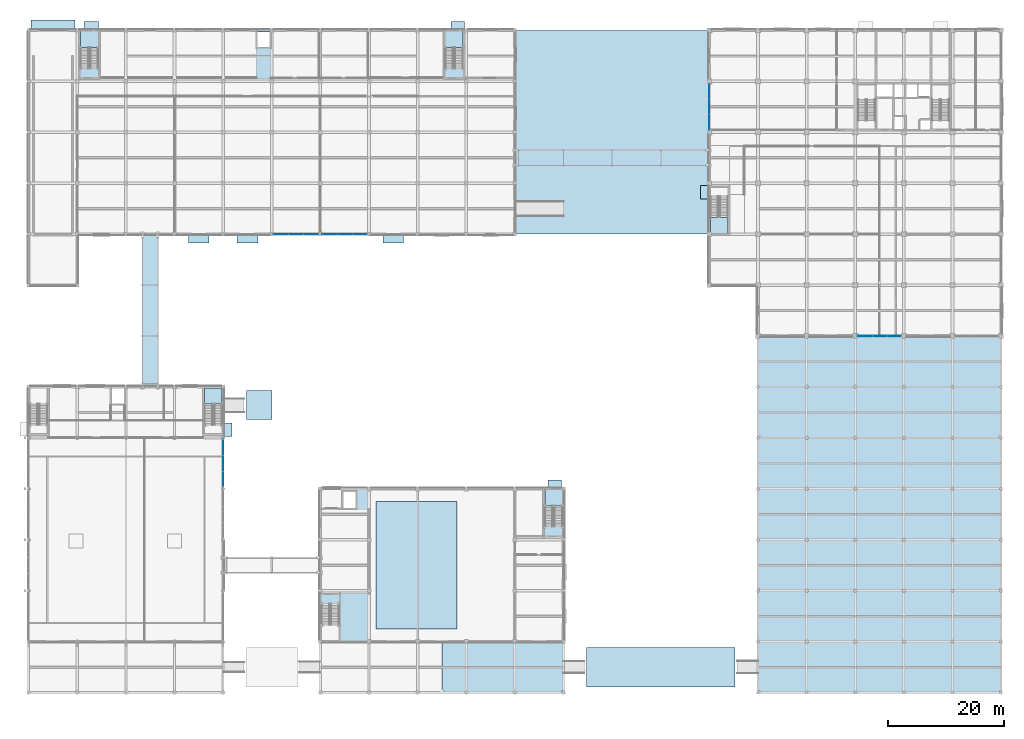
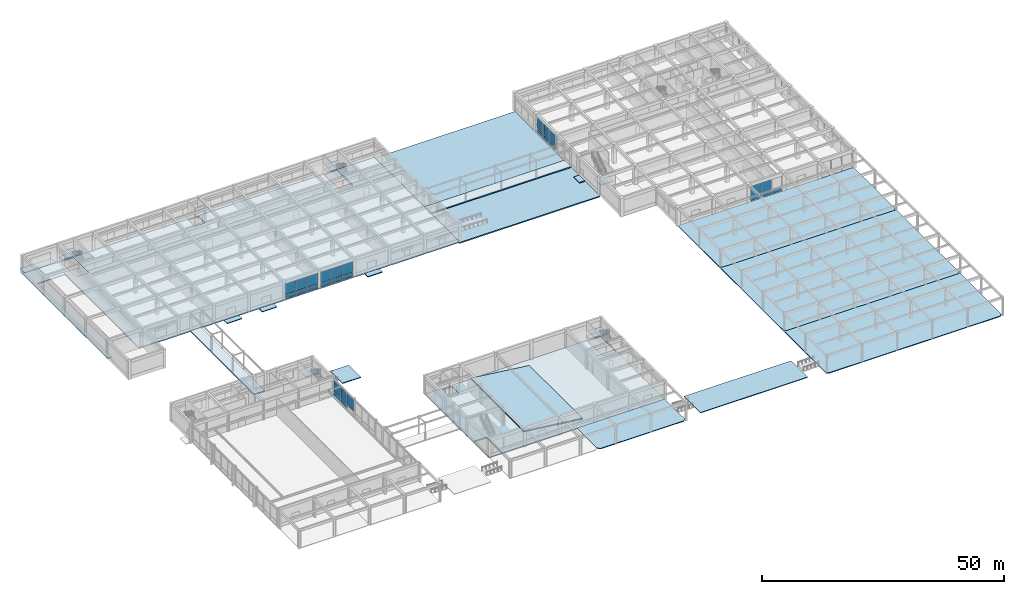
# One storey, part 27 of 58: 28 plates, 26 slabs, 10 elements without a shape of their own.
"""IFC4 building model written with IfcOpenShell, lengths in metres."""

import ifcopenshell
import ifcopenshell.guid

model = None  # the IFC model being written
_history = None  # IfcOwnerHistory: only IFC2X3 demands one
_inside = {}  # id of a spatial element -> (the spatial element, [elements in it])
_under = {}  # id of a project, library or spatial element -> (it, [spatial elements below it])
_declared = {}  # id of a project -> (the project, [libraries it declares])
_typed = {}  # id of a type object -> (the type object, [elements of that type])
_made_of = {}  # id of a material, layer set ... -> (it, [elements and type objects made of it])


def new_model(schema):
    """Start an empty IFC model of exactly this schema.

    Asked for "IFC4X3", IfcOpenShell would pick the latest addendum, in which some entities
    have other attributes; the version numbers below select the first issue.
    IFC2X3 requires an IfcOwnerHistory on every rooted entity: one is made here for all.
    """
    global model, _history
    if schema == "IFC4X3":
        model = ifcopenshell.file(schema_version=(4, 3, 0, 0))
    else:
        model = ifcopenshell.file(schema=schema)
    _inside.clear()
    _under.clear()
    _declared.clear()
    _typed.clear()
    _made_of.clear()
    _history = None
    if model.schema == "IFC2X3":
        org = make("IfcOrganization", Name="unknown")
        user = make(
            "IfcPersonAndOrganization",
            ThePerson=make("IfcPerson", FamilyName="unknown"),
            TheOrganization=org,
        )
        app = make(
            "IfcApplication",
            ApplicationDeveloper=org,
            Version="unknown",
            ApplicationFullName="unknown",
            ApplicationIdentifier="unknown",
        )
        _history = make(
            "IfcOwnerHistory",
            OwningUser=user,
            OwningApplication=app,
            ChangeAction="ADDED",
            CreationDate=0,
        )
    return model


def make(cls, **values):
    """One entity of the class cls with the attributes given. An attribute that is None is left unset."""
    return model.create_entity(
        cls, **{name: value for name, value in values.items() if value is not None}
    )


def rooted(cls, **values):
    """An entity with a GlobalId (a new one), such as an element, a storey or a relation."""
    return make(cls, GlobalId=ifcopenshell.guid.new(), OwnerHistory=_history, **values)


def si_unit(unit_type, name, prefix=None):
    """IfcSIUnit, for example si_unit("LENGTHUNIT", "METRE", prefix="MILLI")."""
    return make("IfcSIUnit", UnitType=unit_type, Prefix=prefix, Name=name)


def assignment(units):
    """IfcUnitAssignment: the units of a project."""
    return None if units is None else make("IfcUnitAssignment", Units=units)


def point(xyz):
    """IfcCartesianPoint."""
    return None if xyz is None else make("IfcCartesianPoint", Coordinates=xyz)


def direction(xyz):
    """IfcDirection."""
    return None if xyz is None else make("IfcDirection", DirectionRatios=xyz)


def frame(location, z_axis=None, x_axis=None):
    """IfcAxis2Placement3D, a coordinate frame: its origin and axes. An axis left out is left unset."""
    return make(
        "IfcAxis2Placement3D",
        Location=point(location),
        Axis=direction(z_axis),
        RefDirection=direction(x_axis),
    )


def frame_2d(location, x_axis=None):
    """IfcAxis2Placement2D, a coordinate frame in the plane: its origin and x axis."""
    return make(
        "IfcAxis2Placement2D", Location=point(location), RefDirection=direction(x_axis)
    )


def origin():
    """The frame at (0, 0, 0) with its axes left unset."""
    return frame((0.0, 0.0, 0.0))


def origin_2d():
    """The frame at (0, 0) in the plane with its x axis left unset."""
    return frame_2d((0.0, 0.0))


def place(relative_to, where):
    """IfcLocalPlacement: puts the frame where relative to a parent placement (None: the world)."""
    return make(
        "IfcLocalPlacement", PlacementRelTo=relative_to, RelativePlacement=where
    )


def context(
    kind, dimensions, precision=None, world=None, true_north=None, identifier=None
):
    """IfcGeometricRepresentationContext, for example the 3D "Model" context."""
    return make(
        "IfcGeometricRepresentationContext",
        ContextIdentifier=identifier,
        ContextType=kind,
        CoordinateSpaceDimension=dimensions,
        Precision=precision,
        WorldCoordinateSystem=world,
        TrueNorth=true_north,
    )


def subcontext(parent, identifier, kind, view, scale=None):
    """IfcGeometricRepresentationSubContext, for example "Body" below "Model"."""
    return make(
        "IfcGeometricRepresentationSubContext",
        ContextIdentifier=identifier,
        ContextType=kind,
        ParentContext=parent,
        TargetScale=scale,
        TargetView=view,
    )


def project(units=None, contexts=None):
    """IfcProject with its units and contexts."""
    return rooted(
        "IfcProject",
        Name="project",
        RepresentationContexts=contexts,
        UnitsInContext=assignment(units),
    )


def spatial(cls, under=None, at=None, **own):
    """A site, building, storey or space (cls), placed at a placement, below another one or the project."""
    s = rooted(cls, ObjectPlacement=at, **own)
    if under is not None:
        _under.setdefault(under.id(), (under, []))[1].append(s)
    return s


def polyline(points):
    """IfcPolyline through the points."""
    return make("IfcPolyline", Points=[point(p) for p in points])


def profile(cls, at=None, kind="AREA", **sizes):
    """A parametric profile (cls). Its sizes go by their IFC names, for example OverallWidth=200.0."""
    return make(cls, ProfileType=kind, Position=at, **sizes)


def rectangle(**sizes):
    """IfcRectangleProfileDef."""
    return profile("IfcRectangleProfileDef", **sizes)


def outline(outer, holes=None, kind="AREA"):
    """IfcArbitraryClosedProfileDef: a profile drawn as a closed curve; with holes, ...WithVoids."""
    if holes is None:
        return make("IfcArbitraryClosedProfileDef", ProfileType=kind, OuterCurve=outer)
    return make(
        "IfcArbitraryProfileDefWithVoids",
        ProfileType=kind,
        OuterCurve=outer,
        InnerCurves=holes,
    )


def extrude(swept, where, along, depth):
    """IfcExtrudedAreaSolid: the profile swept, set in the frame where, extruded along a direction by depth."""
    return make(
        "IfcExtrudedAreaSolid",
        SweptArea=swept,
        Position=where,
        ExtrudedDirection=direction(along),
        Depth=depth,
    )


def shape(context_of_items, identifier, shape_type, items):
    """IfcShapeRepresentation: the items that make up one representation, for example the "Body"."""
    return make(
        "IfcShapeRepresentation",
        ContextOfItems=context_of_items,
        RepresentationIdentifier=identifier,
        RepresentationType=shape_type,
        Items=items,
    )


def material(Name=None, Category=None):
    """IfcMaterial."""
    return make("IfcMaterial", Name=Name, Category=Category)


def layer(
    of_material, thickness, ventilated=None, Name=None, Category=None, Priority=None
):
    """IfcMaterialLayer: one layer of a wall or slab, of a material (None: an air gap)."""
    return make(
        "IfcMaterialLayer",
        Material=of_material,
        LayerThickness=thickness,
        IsVentilated=ventilated,
        Name=Name,
        Category=Category,
        Priority=Priority,
    )


def layer_set(layers, Name=None):
    """IfcMaterialLayerSet."""
    return make("IfcMaterialLayerSet", MaterialLayers=layers, LayerSetName=Name)


def made_of(thing, what):
    """Note that an element or type object is made of a material, layer set ...; save() writes the relation."""
    if what is not None:
        _made_of.setdefault(what.id(), (what, []))[1].append(thing)
    return thing


def type_object(cls, material=None, **own):
    """A type object (cls), such as IfcWallType, which elements share."""
    return made_of(rooted(cls, **own), material)


def element(
    cls,
    number,
    at=None,
    inside=None,
    cuts=None,
    type_object=None,
    material=None,
    context=None,
    identifier="Body",
    shape_type=None,
    held_by="IfcProductDefinitionShape",
    body=None,
    shapes=None,
    **own,
):
    """One element of the class cls, such as IfcWall. Its Tag is "e" and its number.

    at: its placement. inside: the storey or other place that contains it. cuts: it is an
    opening in that element (IfcRelVoidsElement). A single representation is given by context,
    identifier, shape_type and body (its items); several are given by shapes. held_by: the class
    of the entity that holds the representations. save() writes the other relations.
    """
    e = rooted(cls, Tag="e%d" % number, ObjectPlacement=at, **own)
    if body is not None:
        shapes = [shape(context, identifier, shape_type, body)]
    if shapes is not None:
        e.Representation = make(held_by, Representations=shapes)
    if inside is not None:
        _inside.setdefault(inside.id(), (inside, []))[1].append(e)
    if cuts is not None:
        rooted(
            "IfcRelVoidsElement", RelatingBuildingElement=cuts, RelatedOpeningElement=e
        )
    if type_object is not None:
        _typed.setdefault(type_object.id(), (type_object, []))[1].append(e)
    return made_of(e, material)


def aggregate(whole, parts):
    """IfcRelAggregates: a whole, such as a stair, and the parts it consists of."""
    return rooted("IfcRelAggregates", RelatingObject=whole, RelatedObjects=parts)


def save(model, path):
    """Write the relations noted so far, then the file.

    IfcRelAggregates (storeys below a building ...), IfcRelContainedInSpatialStructure (elements
    in a storey), IfcRelDefinesByType, IfcRelAssociatesMaterial and IfcRelDeclares: one each for
    every whole, place, type object, material and project.
    """
    for whole, parts in _under.values():
        aggregate(whole, parts)
    for where, things in _inside.values():
        rooted(
            "IfcRelContainedInSpatialStructure",
            RelatedElements=things,
            RelatingStructure=where,
        )
    for kind, things in _typed.values():
        rooted("IfcRelDefinesByType", RelatedObjects=things, RelatingType=kind)
    for what, things in _made_of.values():
        rooted("IfcRelAssociatesMaterial", RelatedObjects=things, RelatingMaterial=what)
    for by, libraries in _declared.values():
        rooted("IfcRelDeclares", RelatingContext=by, RelatedDefinitions=libraries)
    model.write(path)


model = new_model("IFC4")

# Units and contexts
model_context = context("Model", 3, precision=1e-05, world=origin(), true_north=direction((0.0, 1.0)))
body_context = subcontext(model_context, "Body", "Model", "MODEL_VIEW")
ifc_project = project(units=[si_unit("LENGTHUNIT", "METRE"), si_unit("AREAUNIT", "SQUARE_METRE"), si_unit("VOLUMEUNIT", "CUBIC_METRE"), si_unit("PLANEANGLEUNIT", "RADIAN"), si_unit("MASSUNIT", "GRAM", prefix="KILO")], contexts=[model_context])

# Site, building, storey
site_placement = place(None, origin())
site = spatial("IfcSite", under=ifc_project, at=site_placement, CompositionType="ELEMENT")
building_placement = place(site_placement, origin())
building = spatial("IfcBuilding", under=site, at=building_placement, Name="Kemercrest Conservatory and Botanical Centre", CompositionType="ELEMENT")
storey_placement = place(building_placement, origin())
storey = spatial("IfcBuildingStorey", under=building, at=storey_placement, Name="L00", CompositionType="ELEMENT", Elevation=0.0)

# Curtain wall, plates
ifc_material_1 = material(Name="Thermally broken aluminium and triple low-e glazing", Category="aluminium")
curtain_wall_type_1 = type_object("IfcCurtainWallType", Name="CW-01", PredefinedType="USERDEFINED", material=ifc_material_1)
curtain_wall_1_placement = place(storey_placement, origin())
curtain_wall_1 = element("IfcCurtainWall", 1, at=curtain_wall_1_placement, inside=storey, type_object=curtain_wall_type_1, Name="Unitised curtain wall CW-01 (CW:L00:V3-030)", ObjectType="UNITISED CURTAIN WALL", PredefinedType="USERDEFINED")
ifc_material_2 = material(Name="Triple low-e argon insulated glazing unit", Category="glass")
ifc_layer_1 = layer(ifc_material_2, 0.035888671875)
ifc_layer_set_1 = layer_set([ifc_layer_1], Name="Triple low-e argon insulated glazing unit")
plate_type_1 = type_object("IfcPlateType", Name="CW-PNL036", PredefinedType="CURTAIN_PANEL", material=ifc_layer_set_1)
plate_1_placement = place(storey_placement, frame((51.613037109375, 87.199951171875, 0.179931640625), z_axis=(0.0, 0.0, 1.0), x_axis=(1.0, 0.0, 0.0)))
plate_1 = element("IfcPlate", 2, at=plate_1_placement, type_object=plate_type_1, Name="CW-01 panel 1.1", PredefinedType="CURTAIN_PANEL", context=body_context, shape_type="SweptSolid", body=[
    extrude(rectangle(XDim=2.505859375, YDim=0.035888671875, at=origin_2d()), origin(), (0.0, 0.0, 1.0), 0.85009765625),
])
plate_2_placement = place(storey_placement, frame((51.613037109375, 87.199951171875, 1.2099609375), z_axis=(0.0, 0.0, 1.0), x_axis=(1.0, 0.0, 0.0)))
plate_2 = element("IfcPlate", 3, at=plate_2_placement, type_object=plate_type_1, Name="CW-01 panel 1.2", PredefinedType="CURTAIN_PANEL", context=body_context, shape_type="SweptSolid", body=[
    extrude(rectangle(XDim=2.505859375, YDim=0.035888671875, at=origin_2d()), origin(), (0.0, 0.0, 1.0), 2.6650390625),
])
plate_3_placement = place(storey_placement, frame((54.199951171875, 87.199951171875, 0.179931640625), z_axis=(0.0, 0.0, 1.0), x_axis=(1.0, 0.0, 0.0)))
plate_3 = element("IfcPlate", 4, at=plate_3_placement, type_object=plate_type_1, Name="CW-01 panel 2.1", PredefinedType="CURTAIN_PANEL", context=body_context, shape_type="SweptSolid", body=[
    extrude(rectangle(XDim=2.538330078125, YDim=0.035888671875, at=origin_2d()), origin(), (0.0, 0.0, 1.0), 0.85009765625),
])
plate_4_placement = place(storey_placement, frame((54.199951171875, 87.199951171875, 1.2099609375), z_axis=(0.0, 0.0, 1.0), x_axis=(1.0, 0.0, 0.0)))
plate_4 = element("IfcPlate", 5, at=plate_4_placement, type_object=plate_type_1, Name="CW-01 panel 2.2", PredefinedType="CURTAIN_PANEL", context=body_context, shape_type="SweptSolid", body=[
    extrude(rectangle(XDim=2.538330078125, YDim=0.035888671875, at=origin_2d()), origin(), (0.0, 0.0, 1.0), 2.6650390625),
])
plate_5_placement = place(storey_placement, frame((56.787109375, 87.199951171875, 0.179931640625), z_axis=(0.0, 0.0, 1.0), x_axis=(1.0, 0.0, 0.0)))
plate_5 = element("IfcPlate", 6, at=plate_5_placement, type_object=plate_type_1, Name="CW-01 panel 3.1", PredefinedType="CURTAIN_PANEL", context=body_context, shape_type="SweptSolid", body=[
    extrude(rectangle(XDim=2.505859375, YDim=0.035888671875, at=origin_2d()), origin(), (0.0, 0.0, 1.0), 0.85009765625),
])
plate_6_placement = place(storey_placement, frame((56.787109375, 87.199951171875, 1.2099609375), z_axis=(0.0, 0.0, 1.0), x_axis=(1.0, 0.0, 0.0)))
plate_6 = element("IfcPlate", 7, at=plate_6_placement, type_object=plate_type_1, Name="CW-01 panel 3.2", PredefinedType="CURTAIN_PANEL", context=body_context, shape_type="SweptSolid", body=[
    extrude(rectangle(XDim=2.505859375, YDim=0.035888671875, at=origin_2d()), origin(), (0.0, 0.0, 1.0), 2.6650390625),
])
aggregate(curtain_wall_1, [plate_1, plate_2, plate_3, plate_4, plate_5, plate_6])

curtain_wall_type_2 = type_object("IfcCurtainWallType", Name="CW-02", PredefinedType="USERDEFINED", material=ifc_material_1)
curtain_wall_2_placement = place(storey_placement, origin())
curtain_wall_2 = element("IfcCurtainWall", 8, at=curtain_wall_2_placement, inside=storey, type_object=curtain_wall_type_2, Name="Unitised curtain wall CW-02 (CW:L00:V3-031)", ObjectType="UNITISED CURTAIN WALL", PredefinedType="USERDEFINED")
plate_7_placement = place(storey_placement, frame((60.012939453125, 87.199951171875, 0.179931640625), z_axis=(0.0, 0.0, 1.0), x_axis=(1.0, 0.0, 0.0)))
plate_7 = element("IfcPlate", 9, at=plate_7_placement, type_object=plate_type_1, Name="CW-02 panel 1.1", PredefinedType="CURTAIN_PANEL", context=body_context, shape_type="SweptSolid", body=[
    extrude(rectangle(XDim=2.505859375, YDim=0.035888671875, at=origin_2d()), origin(), (0.0, 0.0, 1.0), 0.85009765625),
])
plate_8_placement = place(storey_placement, frame((60.012939453125, 87.199951171875, 1.2099609375), z_axis=(0.0, 0.0, 1.0), x_axis=(1.0, 0.0, 0.0)))
plate_8 = element("IfcPlate", 10, at=plate_8_placement, type_object=plate_type_1, Name="CW-02 panel 1.2", PredefinedType="CURTAIN_PANEL", context=body_context, shape_type="SweptSolid", body=[
    extrude(rectangle(XDim=2.505859375, YDim=0.035888671875, at=origin_2d()), origin(), (0.0, 0.0, 1.0), 2.6650390625),
])
plate_9_placement = place(storey_placement, frame((62.60009765625, 87.199951171875, 0.179931640625), z_axis=(0.0, 0.0, 1.0), x_axis=(1.0, 0.0, 0.0)))
plate_9 = element("IfcPlate", 11, at=plate_9_placement, type_object=plate_type_1, Name="CW-02 panel 2.1", PredefinedType="CURTAIN_PANEL", context=body_context, shape_type="SweptSolid", body=[
    extrude(rectangle(XDim=2.538330078125, YDim=0.035888671875, at=origin_2d()), origin(), (0.0, 0.0, 1.0), 0.85009765625),
])
plate_10_placement = place(storey_placement, frame((62.60009765625, 87.199951171875, 1.2099609375), z_axis=(0.0, 0.0, 1.0), x_axis=(1.0, 0.0, 0.0)))
plate_10 = element("IfcPlate", 12, at=plate_10_placement, type_object=plate_type_1, Name="CW-02 panel 2.2", PredefinedType="CURTAIN_PANEL", context=body_context, shape_type="SweptSolid", body=[
    extrude(rectangle(XDim=2.538330078125, YDim=0.035888671875, at=origin_2d()), origin(), (0.0, 0.0, 1.0), 2.6650390625),
])
plate_11_placement = place(storey_placement, frame((65.18701171875, 87.199951171875, 0.179931640625), z_axis=(0.0, 0.0, 1.0), x_axis=(1.0, 0.0, 0.0)))
plate_11 = element("IfcPlate", 13, at=plate_11_placement, type_object=plate_type_1, Name="CW-02 panel 3.1", PredefinedType="CURTAIN_PANEL", context=body_context, shape_type="SweptSolid", body=[
    extrude(rectangle(XDim=2.505859375, YDim=0.035888671875, at=origin_2d()), origin(), (0.0, 0.0, 1.0), 0.85009765625),
])
plate_12_placement = place(storey_placement, frame((65.18701171875, 87.199951171875, 1.2099609375), z_axis=(0.0, 0.0, 1.0), x_axis=(1.0, 0.0, 0.0)))
plate_12 = element("IfcPlate", 14, at=plate_12_placement, type_object=plate_type_1, Name="CW-02 panel 3.2", PredefinedType="CURTAIN_PANEL", context=body_context, shape_type="SweptSolid", body=[
    extrude(rectangle(XDim=2.505859375, YDim=0.035888671875, at=origin_2d()), origin(), (0.0, 0.0, 1.0), 2.6650390625),
])
aggregate(curtain_wall_2, [plate_7, plate_8, plate_9, plate_10, plate_11, plate_12])

curtain_wall_type_3 = type_object("IfcCurtainWallType", Name="CW-13", PredefinedType="USERDEFINED", material=ifc_material_1)
curtain_wall_3_placement = place(storey_placement, origin())
curtain_wall_3 = element("IfcCurtainWall", 15, at=curtain_wall_3_placement, inside=storey, type_object=curtain_wall_type_3, Name="Unitised curtain wall CW-13 (CW:L00:V4-042)", ObjectType="UNITISED CURTAIN WALL", PredefinedType="USERDEFINED")
plate_13_placement = place(storey_placement, frame((152.4794921875, 69.60009765625, 0.179931640625), z_axis=(0.0, 0.0, 1.0), x_axis=(1.0, 0.0, 0.0)))
plate_13 = element("IfcPlate", 16, at=plate_13_placement, type_object=plate_type_1, Name="CW-13 panel 1.1", PredefinedType="CURTAIN_PANEL", context=body_context, shape_type="SweptSolid", body=[
    extrude(rectangle(XDim=2.439208984375, YDim=0.035888671875, at=origin_2d()), origin(), (0.0, 0.0, 1.0), 0.85009765625),
])
plate_14_placement = place(storey_placement, frame((152.4794921875, 69.60009765625, 1.2099609375), z_axis=(0.0, 0.0, 1.0), x_axis=(1.0, 0.0, 0.0)))
plate_14 = element("IfcPlate", 17, at=plate_14_placement, type_object=plate_type_1, Name="CW-13 panel 1.2", PredefinedType="CURTAIN_PANEL", context=body_context, shape_type="SweptSolid", body=[
    extrude(rectangle(XDim=2.439208984375, YDim=0.035888671875, at=origin_2d()), origin(), (0.0, 0.0, 1.0), 2.6650390625),
])
plate_15_placement = place(storey_placement, frame((155.0, 69.60009765625, 0.179931640625), z_axis=(0.0, 0.0, 1.0), x_axis=(1.0, 0.0, 0.0)))
plate_15 = element("IfcPlate", 18, at=plate_15_placement, type_object=plate_type_1, Name="CW-13 panel 2.1", PredefinedType="CURTAIN_PANEL", context=body_context, shape_type="SweptSolid", body=[
    extrude(rectangle(XDim=2.4716796875, YDim=0.035888671875, at=origin_2d()), origin(), (0.0, 0.0, 1.0), 0.85009765625),
])
plate_16_placement = place(storey_placement, frame((155.0, 69.60009765625, 1.2099609375), z_axis=(0.0, 0.0, 1.0), x_axis=(1.0, 0.0, 0.0)))
plate_16 = element("IfcPlate", 19, at=plate_16_placement, type_object=plate_type_1, Name="CW-13 panel 2.2", PredefinedType="CURTAIN_PANEL", context=body_context, shape_type="SweptSolid", body=[
    extrude(rectangle(XDim=2.4716796875, YDim=0.035888671875, at=origin_2d()), origin(), (0.0, 0.0, 1.0), 2.6650390625),
])
plate_17_placement = place(storey_placement, frame((157.5205078125, 69.60009765625, 0.179931640625), z_axis=(0.0, 0.0, 1.0), x_axis=(1.0, 0.0, 0.0)))
plate_17 = element("IfcPlate", 20, at=plate_17_placement, type_object=plate_type_1, Name="CW-13 panel 3.1", PredefinedType="CURTAIN_PANEL", context=body_context, shape_type="SweptSolid", body=[
    extrude(rectangle(XDim=2.439208984375, YDim=0.035888671875, at=origin_2d()), origin(), (0.0, 0.0, 1.0), 0.85009765625),
])
aggregate(curtain_wall_3, [plate_13, plate_14, plate_15, plate_16, plate_17])

curtain_wall_type_4 = type_object("IfcCurtainWallType", Name="CW-18", PredefinedType="USERDEFINED", material=ifc_material_1)
curtain_wall_4_placement = place(storey_placement, origin())
curtain_wall_4 = element("IfcCurtainWall", 21, at=curtain_wall_4_placement, inside=storey, type_object=curtain_wall_type_4, Name="Unitised curtain wall CW-18 (CW:L00:V4-047)", ObjectType="UNITISED CURTAIN WALL", PredefinedType="USERDEFINED")
plate_18_placement = place(storey_placement, frame((125.60009765625, 111.853759765625, 0.179931640625), z_axis=(0.0, 0.0, 1.0), x_axis=(0.0, -1.0, 0.0)))
plate_18 = element("IfcPlate", 22, at=plate_18_placement, type_object=plate_type_1, Name="CW-18 panel 1.1", PredefinedType="CURTAIN_PANEL", context=body_context, shape_type="SweptSolid", body=[
    extrude(rectangle(XDim=2.572509765625, YDim=0.035888671875, at=origin_2d()), origin(), (0.0, 0.0, 1.0), 0.85009765625),
])
plate_19_placement = place(storey_placement, frame((125.60009765625, 111.853759765625, 1.2099609375), z_axis=(0.0, 0.0, 1.0), x_axis=(0.0, -1.0, 0.0)))
plate_19 = element("IfcPlate", 23, at=plate_19_placement, type_object=plate_type_1, Name="CW-18 panel 1.2", PredefinedType="CURTAIN_PANEL", context=body_context, shape_type="SweptSolid", body=[
    extrude(rectangle(XDim=2.572509765625, YDim=0.035888671875, at=origin_2d()), origin(), (0.0, 0.0, 1.0), 2.6650390625),
])
plate_20_placement = place(storey_placement, frame((125.60009765625, 109.199951171875, 0.179931640625), z_axis=(0.0, 0.0, 1.0), x_axis=(0.0, -1.0, 0.0)))
plate_20 = element("IfcPlate", 24, at=plate_20_placement, type_object=plate_type_1, Name="CW-18 panel 2.1", PredefinedType="CURTAIN_PANEL", context=body_context, shape_type="SweptSolid", body=[
    extrude(rectangle(XDim=2.60498046875, YDim=0.035888671875, at=origin_2d()), origin(), (0.0, 0.0, 1.0), 0.85009765625),
])
plate_21_placement = place(storey_placement, frame((125.60009765625, 109.199951171875, 1.2099609375), z_axis=(0.0, 0.0, 1.0), x_axis=(0.0, -1.0, 0.0)))
plate_21 = element("IfcPlate", 25, at=plate_21_placement, type_object=plate_type_1, Name="CW-18 panel 2.2", PredefinedType="CURTAIN_PANEL", context=body_context, shape_type="SweptSolid", body=[
    extrude(rectangle(XDim=2.60498046875, YDim=0.035888671875, at=origin_2d()), origin(), (0.0, 0.0, 1.0), 2.6650390625),
])
plate_22_placement = place(storey_placement, frame((125.60009765625, 106.546142578125, 0.179931640625), z_axis=(0.0, 0.0, 1.0), x_axis=(0.0, -1.0, 0.0)))
plate_22 = element("IfcPlate", 26, at=plate_22_placement, type_object=plate_type_1, Name="CW-18 panel 3.1", PredefinedType="CURTAIN_PANEL", context=body_context, shape_type="SweptSolid", body=[
    extrude(rectangle(XDim=2.572509765625, YDim=0.035888671875, at=origin_2d()), origin(), (0.0, 0.0, 1.0), 0.85009765625),
])
plate_23_placement = place(storey_placement, frame((125.60009765625, 106.546142578125, 1.2099609375), z_axis=(0.0, 0.0, 1.0), x_axis=(0.0, -1.0, 0.0)))
plate_23 = element("IfcPlate", 27, at=plate_23_placement, type_object=plate_type_1, Name="CW-18 panel 3.2", PredefinedType="CURTAIN_PANEL", context=body_context, shape_type="SweptSolid", body=[
    extrude(rectangle(XDim=2.572509765625, YDim=0.035888671875, at=origin_2d()), origin(), (0.0, 0.0, 1.0), 2.6650390625),
])
aggregate(curtain_wall_4, [plate_18, plate_19, plate_20, plate_21, plate_22, plate_23])

curtain_wall_type_5 = type_object("IfcCurtainWallType", Name="CW-04", PredefinedType="USERDEFINED", material=ifc_material_1)
curtain_wall_5_placement = place(storey_placement, origin())
curtain_wall_5 = element("IfcCurtainWall", 28, at=curtain_wall_5_placement, inside=storey, type_object=curtain_wall_type_5, Name="Unitised curtain wall CW-04 (CW:L00:V1-003)", ObjectType="UNITISED CURTAIN WALL", PredefinedType="USERDEFINED")
ifc_material_3 = material(Name="Laminated solar-control conservatory glazing unit", Category="glass")
ifc_layer_2 = layer(ifc_material_3, 0.0419921875)
ifc_layer_set_2 = layer_set([ifc_layer_2], Name="Laminated solar-control conservatory glazing unit")
plate_type_2 = type_object("IfcPlateType", Name="CW-PNL042", PredefinedType="CURTAIN_PANEL", material=ifc_layer_set_2)
plate_24_placement = place(storey_placement, frame((41.60009765625, 44.851318359375, 1.19482421875), z_axis=(0.0, 0.0, 1.0), x_axis=(0.0, 1.0, 0.0)))
plate_24 = element("IfcPlate", 29, at=plate_24_placement, type_object=plate_type_2, Name="CW-04 panel 1.2", PredefinedType="CURTAIN_PANEL", context=body_context, shape_type="SweptSolid", body=[
    extrude(rectangle(XDim=2.65478515625, YDim=0.0419921875, at=origin_2d()), origin(), (0.0, 0.0, 1.0), 2.885986328125),
])
plate_25_placement = place(storey_placement, frame((41.60009765625, 47.60009765625, 0.14990234375), z_axis=(0.0, 0.0, 1.0), x_axis=(0.0, 1.0, 0.0)))
plate_25 = element("IfcPlate", 30, at=plate_25_placement, type_object=plate_type_2, Name="CW-04 panel 2.1", PredefinedType="CURTAIN_PANEL", context=body_context, shape_type="SweptSolid", body=[
    extrude(rectangle(XDim=2.6923828125, YDim=0.0419921875, at=origin_2d()), origin(), (0.0, 0.0, 1.0), 0.89501953125),
])
plate_26_placement = place(storey_placement, frame((41.60009765625, 47.60009765625, 1.19482421875), z_axis=(0.0, 0.0, 1.0), x_axis=(0.0, 1.0, 0.0)))
plate_26 = element("IfcPlate", 31, at=plate_26_placement, type_object=plate_type_2, Name="CW-04 panel 2.2", PredefinedType="CURTAIN_PANEL", context=body_context, shape_type="SweptSolid", body=[
    extrude(rectangle(XDim=2.6923828125, YDim=0.0419921875, at=origin_2d()), origin(), (0.0, 0.0, 1.0), 2.885986328125),
])
plate_27_placement = place(storey_placement, frame((41.60009765625, 50.3486328125, 0.14990234375), z_axis=(0.0, 0.0, 1.0), x_axis=(0.0, 1.0, 0.0)))
plate_27 = element("IfcPlate", 32, at=plate_27_placement, type_object=plate_type_2, Name="CW-04 panel 3.1", PredefinedType="CURTAIN_PANEL", context=body_context, shape_type="SweptSolid", body=[
    extrude(rectangle(XDim=2.65478515625, YDim=0.0419921875, at=origin_2d()), origin(), (0.0, 0.0, 1.0), 0.89501953125),
])
plate_28_placement = place(storey_placement, frame((41.60009765625, 50.3486328125, 1.19482421875), z_axis=(0.0, 0.0, 1.0), x_axis=(0.0, 1.0, 0.0)))
plate_28 = element("IfcPlate", 33, at=plate_28_placement, type_object=plate_type_2, Name="CW-04 panel 3.2", PredefinedType="CURTAIN_PANEL", context=body_context, shape_type="SweptSolid", body=[
    extrude(rectangle(XDim=2.65478515625, YDim=0.0419921875, at=origin_2d()), origin(), (0.0, 0.0, 1.0), 2.885986328125),
])
aggregate(curtain_wall_5, [plate_24, plate_25, plate_26, plate_27, plate_28])

# Slabs
ifc_material_4 = material(Name="Precast concrete C40/50", Category="concrete")
ifc_layer_3 = layer(ifc_material_4, 0.179931640625)
ifc_layer_set_3 = layer_set([ifc_layer_3], Name="Precast concrete C40/50")
slab_type_1 = type_object("IfcSlabType", Name="SL-COL180", PredefinedType="USERDEFINED", material=ifc_layer_set_3)
slab_1_placement = place(storey_placement, frame((0.0, 0.0, -0.179931640625)))
element("IfcSlab", 34, at=slab_1_placement, inside=storey, type_object=slab_type_1, Name="V2 Auditorium Harbour Colonnade Paving 2", ObjectType="PAVING", PredefinedType="USERDEFINED", context=body_context, shape_type="SweptSolid", body=[
    extrude(outline(polyline([(79.949951171875, 8.0), (99.85009765625, 8.0), (100.39990234375, 8.550048828125), (100.39990234375, 16.800048828125), (79.39990234375, 16.800048828125), (79.39990234375, 8.550048828125), (79.949951171875, 8.0)])), origin(), (0.0, 0.0, 1.0), 0.179931640625),
])
slab_2_placement = place(storey_placement, frame((0.0, 0.0, -0.179931640625)))
element("IfcSlab", 35, at=slab_2_placement, inside=storey, type_object=slab_type_1, Name="Car park vehicle ramp exterior driveway apron", ObjectType="PAVING", PredefinedType="USERDEFINED", context=body_context, shape_type="SweptSolid", body=[
    extrude(outline(polyline([(8.75, 122.39990234375), (15.64990234375, 122.39990234375), (16.0, 122.75), (16.0, 124.199951171875), (8.39990234375, 124.199951171875), (8.39990234375, 122.75), (8.75, 122.39990234375)])), origin(), (0.0, 0.0, 1.0), 0.179931640625),
])
slab_3_placement = place(storey_placement, frame((0.0, 0.0, -0.179931640625)))
element("IfcSlab", 36, at=slab_3_placement, inside=storey, type_object=slab_type_1, Name="V4 South-East Harbour Colonnade Paving 1", ObjectType="PAVING", PredefinedType="USERDEFINED", context=body_context, shape_type="SweptSolid", body=[
    extrude(outline(polyline([(134.550048828125, 8.0), (175.449951171875, 8.0), (176.0, 8.550048828125), (176.0, 25.60009765625), (134.0, 25.60009765625), (134.0, 8.550048828125), (134.550048828125, 8.0)])), origin(), (0.0, 0.0, 1.0), 0.179931640625),
])
slab_4_placement = place(storey_placement, frame((0.0, 0.0, -0.179931640625)))
element("IfcSlab", 37, at=slab_4_placement, inside=storey, type_object=slab_type_1, Name="V4 South-East Harbour Colonnade Paving 2", ObjectType="PAVING", PredefinedType="USERDEFINED", context=body_context, shape_type="SweptSolid", body=[
    extrude(outline(polyline([(134.550048828125, 25.60009765625), (175.449951171875, 25.60009765625), (176.0, 26.14990234375), (176.0, 52.0), (134.0, 52.0), (134.0, 26.14990234375), (134.550048828125, 25.60009765625)])), origin(), (0.0, 0.0, 1.0), 0.179931640625),
])
slab_5_placement = place(storey_placement, frame((0.0, 0.0, -0.179931640625)))
element("IfcSlab", 38, at=slab_5_placement, inside=storey, type_object=slab_type_1, Name="V4 South-East Harbour Colonnade Paving 3", ObjectType="PAVING", PredefinedType="USERDEFINED", context=body_context, shape_type="SweptSolid", body=[
    extrude(outline(polyline([(134.550048828125, 52.0), (175.449951171875, 52.0), (176.0, 52.550048828125), (176.0, 69.60009765625), (134.0, 69.60009765625), (134.0, 52.550048828125), (134.550048828125, 52.0)])), origin(), (0.0, 0.0, 1.0), 0.179931640625),
])
slab_6_placement = place(storey_placement, frame((0.0, 0.0, -0.280029296875)))
element("IfcSlab", 39, at=slab_6_placement, inside=storey, type_object=slab_type_1, Name="Forecourt promenade plaza slab AR-03", ObjectType="PAVING", PredefinedType="USERDEFINED", context=body_context, shape_type="SweptSolid", body=[
    extrude(outline(polyline([(104.39990234375, 9.0), (130.0, 9.0), (130.0, 15.800048828125), (104.39990234375, 15.800048828125), (104.39990234375, 9.0)])), origin(), (0.0, 0.0, 1.0), 0.179931640625),
])
slab_7_placement = place(storey_placement, frame((0.0, 0.0, -0.280029296875)))
element("IfcSlab", 40, at=slab_7_placement, inside=storey, type_object=slab_type_1, Name="Forecourt promenade plaza slab AR-05", ObjectType="PAVING", PredefinedType="USERDEFINED", context=body_context, shape_type="SweptSolid", body=[
    extrude(outline(polyline([(45.60009765625, 55.199951171875), (50.0, 55.199951171875), (50.0, 60.199951171875), (45.60009765625, 60.199951171875), (45.60009765625, 55.199951171875)])), origin(), (0.0, 0.0, 1.0), 0.179931640625),
])
slab_8_placement = place(storey_placement, frame((0.0, 0.0, -0.179931640625)))
element("IfcSlab", 41, at=slab_8_placement, inside=storey, type_object=slab_type_1, Name="Exterior threshold paving pad ED006", ObjectType="PAVING", PredefinedType="USERDEFINED", context=body_context, shape_type="SweptSolid", body=[
    extrude(outline(polyline([(41.75, 52.263916015625), (41.75, 54.614013671875), (43.10009765625, 54.614013671875), (43.10009765625, 52.263916015625), (41.75, 52.263916015625)])), origin(), (0.0, 0.0, 1.0), 0.179931640625),
])
slab_9_placement = place(storey_placement, frame((0.0, 0.0, -0.179931640625)))
element("IfcSlab", 42, at=slab_9_placement, inside=storey, type_object=slab_type_1, Name="Exterior threshold paving pad ED017", ObjectType="PAVING", PredefinedType="USERDEFINED", context=body_context, shape_type="SweptSolid", body=[
    extrude(outline(polyline([(100.090087890625, 43.35009765625), (97.739990234375, 43.35009765625), (97.739990234375, 44.699951171875), (100.090087890625, 44.699951171875), (100.090087890625, 43.35009765625)])), origin(), (0.0, 0.0, 1.0), 0.179931640625),
])
slab_10_placement = place(storey_placement, frame((0.0, 0.0, -0.179931640625)))
element("IfcSlab", 43, at=slab_10_placement, inside=storey, type_object=slab_type_1, Name="Exterior threshold paving pad ED022", ObjectType="PAVING", PredefinedType="USERDEFINED", context=body_context, shape_type="SweptSolid", body=[
    extrude(outline(polyline([(35.625, 87.050048828125), (39.175048828125, 87.050048828125), (39.175048828125, 85.699951171875), (35.625, 85.699951171875), (35.625, 87.050048828125)])), origin(), (0.0, 0.0, 1.0), 0.179931640625),
])
slab_11_placement = place(storey_placement, frame((0.0, 0.0, -0.179931640625)))
element("IfcSlab", 44, at=slab_11_placement, inside=storey, type_object=slab_type_1, Name="Exterior threshold paving pad ED023", ObjectType="PAVING", PredefinedType="USERDEFINED", context=body_context, shape_type="SweptSolid", body=[
    extrude(outline(polyline([(44.02490234375, 87.050048828125), (47.574951171875, 87.050048828125), (47.574951171875, 85.699951171875), (44.02490234375, 85.699951171875), (44.02490234375, 87.050048828125)])), origin(), (0.0, 0.0, 1.0), 0.179931640625),
])
slab_12_placement = place(storey_placement, frame((0.0, 0.0, -0.179931640625)))
element("IfcSlab", 45, at=slab_12_placement, inside=storey, type_object=slab_type_1, Name="Exterior threshold paving pad ED024", ObjectType="PAVING", PredefinedType="USERDEFINED", context=body_context, shape_type="SweptSolid", body=[
    extrude(outline(polyline([(69.22509765625, 87.050048828125), (72.77490234375, 87.050048828125), (72.77490234375, 85.699951171875), (69.22509765625, 85.699951171875), (69.22509765625, 87.050048828125)])), origin(), (0.0, 0.0, 1.0), 0.179931640625),
])
slab_13_placement = place(storey_placement, frame((0.0, 0.0, -0.179931640625)))
element("IfcSlab", 46, at=slab_13_placement, inside=storey, type_object=slab_type_1, Name="Exterior threshold paving pad ED027", ObjectType="PAVING", PredefinedType="USERDEFINED", context=body_context, shape_type="SweptSolid", body=[
    extrude(outline(polyline([(83.2900390625, 122.550048828125), (80.93994140625, 122.550048828125), (80.93994140625, 123.89990234375), (83.2900390625, 123.89990234375), (83.2900390625, 122.550048828125)])), origin(), (0.0, 0.0, 1.0), 0.179931640625),
])
slab_14_placement = place(storey_placement, frame((0.0, 0.0, -0.179931640625)))
element("IfcSlab", 47, at=slab_14_placement, inside=storey, type_object=slab_type_1, Name="Exterior threshold paving pad ED028", ObjectType="PAVING", PredefinedType="USERDEFINED", context=body_context, shape_type="SweptSolid", body=[
    extrude(outline(polyline([(20.090087890625, 122.550048828125), (17.590087890625, 122.550048828125), (17.590087890625, 123.89990234375), (20.090087890625, 123.89990234375), (20.090087890625, 122.550048828125)])), origin(), (0.0, 0.0, 1.0), 0.179931640625),
])
slab_15_placement = place(storey_placement, frame((0.0, 0.0, -0.179931640625)))
element("IfcSlab", 48, at=slab_15_placement, inside=storey, type_object=slab_type_1, Name="Exterior threshold paving pad ED039", ObjectType="PAVING", PredefinedType="USERDEFINED", context=body_context, shape_type="SweptSolid", body=[
    extrude(outline(polyline([(125.449951171875, 95.590087890625), (125.449951171875, 93.239990234375), (124.10009765625, 93.239990234375), (124.10009765625, 95.590087890625), (125.449951171875, 95.590087890625)])), origin(), (0.0, 0.0, 1.0), 0.179931640625),
])
ifc_material_5 = material(Name="Concrete C40/50", Category="concrete")
ifc_layer_4 = layer(ifc_material_5, 0.280029296875)
ifc_layer_set_4 = layer_set([ifc_layer_4], Name="Concrete C40/50")
slab_type_2 = type_object("IfcSlabType", Name="SL-FL280", PredefinedType="FLOOR", material=ifc_layer_set_4)
slab_16_placement = place(storey_placement, frame((0.0, 0.0, -0.280029296875)))
element("IfcSlab", 49, at=slab_16_placement, inside=storey, type_object=slab_type_2, Name="V2 Auditorium Ground Floor Slab", PredefinedType="FLOOR", context=body_context, shape_type="SweptSolid", body=[
    extrude(outline(polyline([(58.39990234375, 43.199951171875), (58.39990234375, 16.800048828125), (100.39990234375, 16.800048828125), (100.39990234375, 43.199951171875), (58.39990234375, 43.199951171875)]), holes=[polyline([(100.239990234375, 43.06005859375), (100.239990234375, 36.6650390625), (97.159912109375, 36.6650390625), (97.159912109375, 43.06005859375), (100.239990234375, 43.06005859375)]), polyline([(64.60009765625, 39.800048828125), (62.199951171875, 39.800048828125), (62.199951171875, 42.800048828125), (64.60009765625, 42.800048828125), (64.60009765625, 39.800048828125)]), polyline([(61.639892578125, 23.3349609375), (61.639892578125, 16.93994140625), (58.56005859375, 16.93994140625), (58.56005859375, 23.3349609375), (61.639892578125, 23.3349609375)])]), origin(), (0.0, 0.0, 1.0), 0.280029296875),
])
slab_17_placement = place(storey_placement, frame((0.0, 0.0, -0.280029296875)))
element("IfcSlab", 50, at=slab_17_placement, inside=storey, type_object=slab_type_2, Name="V3 Visitor and Education Centre L00 Floor Slab", PredefinedType="FLOOR", context=body_context, shape_type="SweptSolid", body=[
    extrude(outline(polyline([(8.0, 122.39990234375), (8.0, 87.199951171875), (8.929931640625, 87.199951171875), (8.929931640625, 117.780029296875), (15.469970703125, 117.780029296875), (15.469970703125, 87.199951171875), (92.0, 87.199951171875), (92.0, 122.39990234375), (8.0, 122.39990234375)]), holes=[polyline([(83.0400390625, 122.260009765625), (83.0400390625, 115.864990234375), (79.9599609375, 115.864990234375), (79.9599609375, 122.260009765625), (83.0400390625, 122.260009765625)]), polyline([(49.800048828125, 119.39990234375), (47.39990234375, 119.39990234375), (47.39990234375, 122.10009765625), (49.800048828125, 122.10009765625), (49.800048828125, 119.39990234375)]), polyline([(20.0400390625, 122.260009765625), (20.0400390625, 115.864990234375), (16.9599609375, 115.864990234375), (16.9599609375, 122.260009765625), (20.0400390625, 122.260009765625)])]), origin(), (0.0, 0.0, 1.0), 0.280029296875),
])
slab_18_placement = place(storey_placement, frame((0.0, 0.0, -0.5400390625)))
element("IfcSlab", 51, at=slab_18_placement, inside=storey, type_object=slab_type_2, Name="North Courtyard Substructure Lid Slab", PredefinedType="FLOOR", context=body_context, shape_type="SweptSolid", body=[
    extrude(outline(polyline([(92.0, 87.199951171875), (125.60009765625, 87.199951171875), (125.60009765625, 122.39990234375), (92.0, 122.39990234375), (92.0, 87.199951171875)])), origin(), (0.0, 0.0, 1.0), 0.280029296875),
])

# Stair, slab
stair_type = type_object("IfcStairType", Name="ST-140-48", PredefinedType="HALF_TURN_STAIR", material=ifc_material_5)
stair_1_placement = place(storey_placement, origin())
stair_1 = element("IfcStair", 52, at=stair_1_placement, inside=storey, type_object=stair_type, Name="L00 Exit stair ST-V1B", PredefinedType="HALF_TURN_STAIR")
ifc_layer_5 = layer(ifc_material_5, 0.199951171875)
ifc_layer_set_5 = layer_set([ifc_layer_5], Name="Concrete C40/50")
slab_type_3 = type_object("IfcSlabType", Name="SL-LND200", PredefinedType="LANDING", material=ifc_layer_set_5)
slab_19_placement = place(storey_placement, frame((0.0, 0.0, 2.199951171875)))
slab_19 = element("IfcSlab", 53, at=slab_19_placement, type_object=slab_type_3, Name="ST-V1B landing 1", PredefinedType="LANDING", context=body_context, shape_type="SweptSolid", body=[
    extrude(outline(polyline([(41.43994140625, 57.8798828125), (41.43994140625, 60.659912109375), (38.360107421875, 60.659912109375), (38.360107421875, 57.8798828125), (41.43994140625, 57.8798828125)])), origin(), (0.0, 0.0, 1.0), 0.199951171875),
])
aggregate(stair_1, [slab_19])

stair_2_placement = place(storey_placement, origin())
stair_2 = element("IfcStair", 54, at=stair_2_placement, inside=storey, type_object=stair_type, Name="L00 Exit stair ST-V2B", PredefinedType="HALF_TURN_STAIR")
slab_20_placement = place(storey_placement, frame((0.0, 0.0, 2.199951171875)))
slab_20 = element("IfcSlab", 55, at=slab_20_placement, type_object=slab_type_3, Name="ST-V2B landing 1", PredefinedType="LANDING", context=body_context, shape_type="SweptSolid", body=[
    extrude(outline(polyline([(100.239990234375, 40.280029296875), (100.239990234375, 43.06005859375), (97.159912109375, 43.06005859375), (97.159912109375, 40.280029296875), (100.239990234375, 40.280029296875)])), origin(), (0.0, 0.0, 1.0), 0.199951171875),
])
aggregate(stair_2, [slab_20])

stair_3_placement = place(storey_placement, origin())
stair_3 = element("IfcStair", 56, at=stair_3_placement, inside=storey, type_object=stair_type, Name="L00 Exit stair ST-V3A", PredefinedType="HALF_TURN_STAIR")
slab_21_placement = place(storey_placement, frame((0.0, 0.0, 2.199951171875)))
slab_21 = element("IfcSlab", 57, at=slab_21_placement, type_object=slab_type_3, Name="ST-V3A landing 1", PredefinedType="LANDING", context=body_context, shape_type="SweptSolid", body=[
    extrude(outline(polyline([(20.0400390625, 119.47998046875), (20.0400390625, 122.260009765625), (16.9599609375, 122.260009765625), (16.9599609375, 119.47998046875), (20.0400390625, 119.47998046875)])), origin(), (0.0, 0.0, 1.0), 0.199951171875),
])
aggregate(stair_3, [slab_21])

stair_4_placement = place(storey_placement, origin())
stair_4 = element("IfcStair", 58, at=stair_4_placement, inside=storey, type_object=stair_type, Name="L00 Exit stair ST-V3B", PredefinedType="HALF_TURN_STAIR")
slab_22_placement = place(storey_placement, frame((0.0, 0.0, 2.199951171875)))
slab_22 = element("IfcSlab", 59, at=slab_22_placement, type_object=slab_type_3, Name="ST-V3B landing 1", PredefinedType="LANDING", context=body_context, shape_type="SweptSolid", body=[
    extrude(outline(polyline([(83.0400390625, 119.47998046875), (83.0400390625, 122.260009765625), (79.9599609375, 122.260009765625), (79.9599609375, 119.47998046875), (83.0400390625, 119.47998046875)])), origin(), (0.0, 0.0, 1.0), 0.199951171875),
])
aggregate(stair_4, [slab_22])

stair_5_placement = place(storey_placement, origin())
stair_5 = element("IfcStair", 60, at=stair_5_placement, inside=storey, type_object=stair_type, Name="L00 Exit stair ST-V4C", PredefinedType="HALF_TURN_STAIR")
slab_23_placement = place(storey_placement, frame((0.0, 0.0, 2.199951171875)))
slab_23 = element("IfcSlab", 61, at=slab_23_placement, type_object=slab_type_3, Name="ST-V4C landing 1", PredefinedType="LANDING", context=body_context, shape_type="SweptSolid", body=[
    extrude(outline(polyline([(125.760009765625, 90.1201171875), (125.760009765625, 87.340087890625), (128.840087890625, 87.340087890625), (128.840087890625, 90.1201171875), (125.760009765625, 90.1201171875)])), origin(), (0.0, 0.0, 1.0), 0.199951171875),
])
aggregate(stair_5, [slab_23])

# Slabs
ifc_layer_6 = layer(ifc_material_5, 0.239990234375)
ifc_layer_set_6 = layer_set([ifc_layer_6], Name="Concrete C40/50")
slab_type_4 = type_object("IfcSlabType", Name="SL-RK240", PredefinedType="FLOOR", material=ifc_layer_set_6)
slab_24_placement = place(storey_placement, frame((68.0, 19.0, 1.949951171875), z_axis=(0.121239080616, 0.0, 0.992623335073), x_axis=(0.992623335073, 0.0, -0.121239080616)))
element("IfcSlab", 62, at=slab_24_placement, inside=storey, type_object=slab_type_4, Name="Symposium Auditorium Raked Seating Bowl Slab", PredefinedType="FLOOR", context=body_context, shape_type="SweptSolid", body=[
    extrude(outline(polyline([(0.0, 0.0), (14.104040782973362, 0.0), (14.104040782973362, 22.000000000000004), (0.0, 22.000000000000004), (0.0, 0.0)])), origin(), (0.0, 0.0, -1.0), 0.239990234375),
])
ifc_layer_7 = layer(ifc_material_5, 0.260009765625)
ifc_layer_set_7 = layer_set([ifc_layer_7], Name="Concrete C40/50")
slab_type_5 = type_object("IfcSlabType", Name="SL-TER260", PredefinedType="ROOF", material=ifc_layer_set_7)
slab_25_placement = place(storey_placement, frame((0.0, 0.0, -0.260009765625)))
element("IfcSlab", 63, at=slab_25_placement, inside=storey, type_object=slab_type_5, Name="West Botanical Court Covered Passage SJ-2 ground colonnade walkway", PredefinedType="ROOF", context=body_context, shape_type="SweptSolid", body=[
    extrude(outline(polyline([(27.699951171875, 60.800048828125), (30.300048828125, 60.800048828125), (30.300048828125, 87.199951171875), (27.699951171875, 87.199951171875), (27.699951171875, 60.800048828125)])), origin(), (0.0, 0.0, 1.0), 0.260009765625),
])
slab_26_placement = place(storey_placement, frame((0.0, 0.0, -0.260009765625)))
element("IfcSlab", 64, at=slab_26_placement, inside=storey, type_object=slab_type_5, Name="North Courtyard Covered Passage SJ-3 ground colonnade walkway", PredefinedType="ROOF", context=body_context, shape_type="SweptSolid", body=[
    extrude(outline(polyline([(92.0, 99.10009765625), (125.60009765625, 99.10009765625), (125.60009765625, 101.699951171875), (92.0, 101.699951171875), (92.0, 99.10009765625)])), origin(), (0.0, 0.0, 1.0), 0.260009765625),
])

save(model, "model.ifc")
